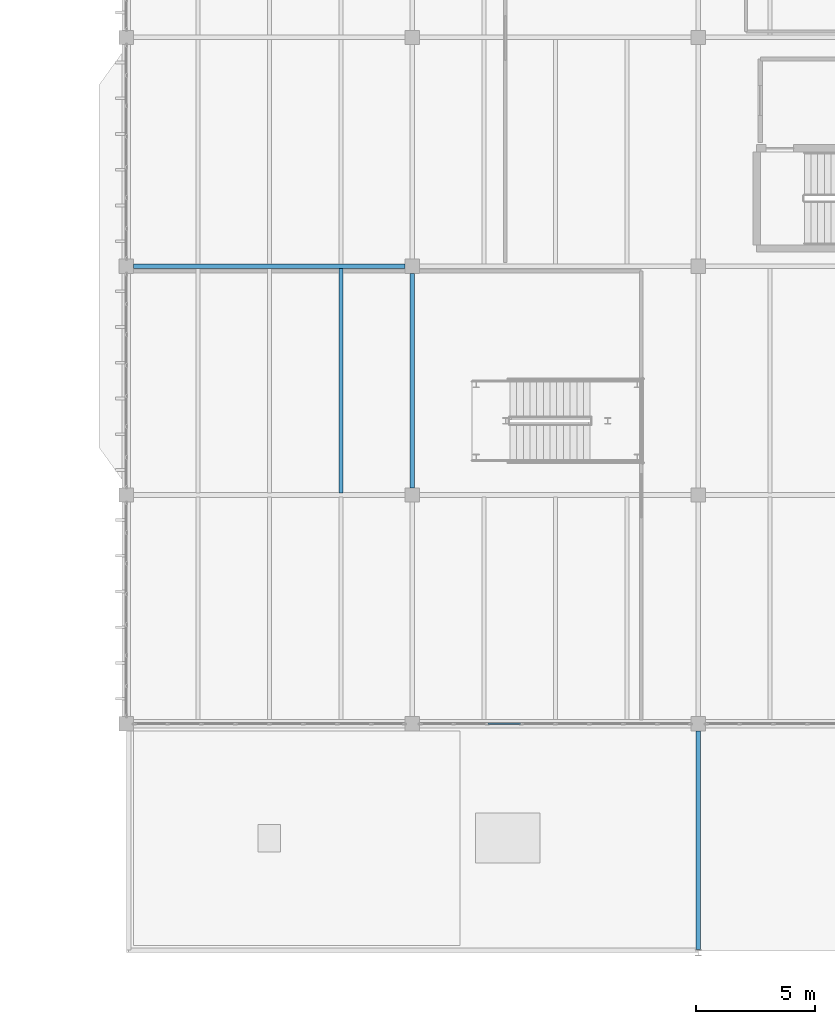
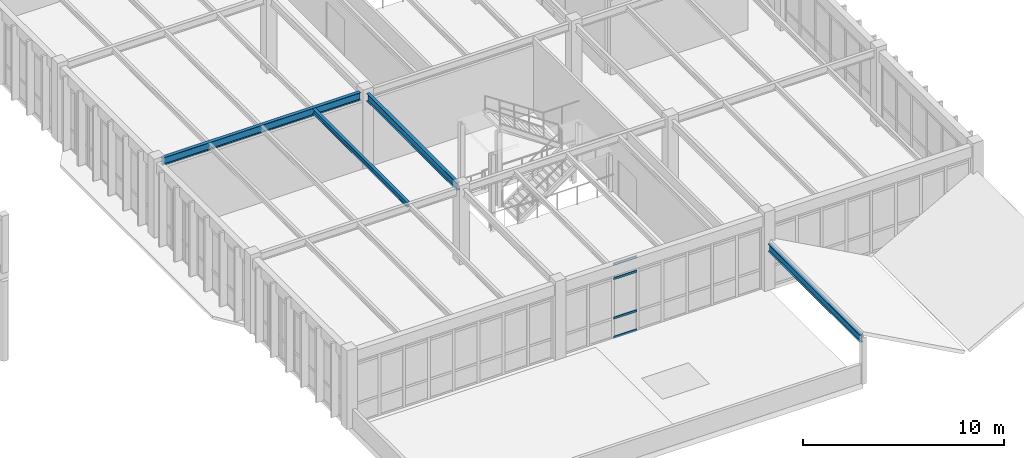
# One storey, part 119 of 236: 4 beams, 4 members, 1 element without a shape of its own.
"""IFC4 building model written with IfcOpenShell, lengths in metres."""

from ifc_helpers import new_model, si_unit, direction, frame, origin, origin_2d, place, context, subcontext, project, spatial, hollow_rectangle, i_section, extrude, material, layer, layer_set, material_profile, profile_set, type_object, element, aggregate, save


model = new_model("IFC4")

# Units and contexts
model_context = context("Model", 3, precision=1e-05, world=origin(), true_north=direction((0.0, 1.0)))
body_context = subcontext(model_context, "Body", "Model", "MODEL_VIEW")
ifc_project = project(units=[si_unit("LENGTHUNIT", "METRE"), si_unit("AREAUNIT", "SQUARE_METRE"), si_unit("VOLUMEUNIT", "CUBIC_METRE"), si_unit("PLANEANGLEUNIT", "RADIAN"), si_unit("MASSUNIT", "GRAM", prefix="KILO")], contexts=[model_context])

# Site, building, storey
site_placement = place(None, origin())
site = spatial("IfcSite", under=ifc_project, at=site_placement, CompositionType="ELEMENT")
building_placement = place(site_placement, origin())
building = spatial("IfcBuilding", under=site, at=building_placement, Name="Pandanus Reach Market Hall", CompositionType="ELEMENT")
storey_placement = place(building_placement, frame((0.0, 0.0, 5.39990234375)))
storey = spatial("IfcBuildingStorey", under=building, at=storey_placement, Name="L01", CompositionType="ELEMENT", Elevation=5.39990234375)

# Beams
ifc_material_1 = material(Name="Steel Grade 350 (350 MPa)", Category="steel")
ifc_material_profile_1 = material_profile(ifc_material_1, i_section(OverallWidth=0.18994140625, OverallDepth=0.45703125, WebThickness=0.009033203125, FlangeThickness=0.014404296875, at=origin_2d()), Name="460UB74.6", Category="LoadBearing")
ifc_profile_set_1 = profile_set([ifc_material_profile_1], Name="Steel Grade 350 (350 MPa)")
beam_type_1 = type_object("IfcBeamType", Name="BM-UB460-E", PredefinedType="BEAM", material=ifc_profile_set_1)
beam_1_placement = place(storey_placement, frame((168.0, 0.123046875, 2.610107421875), z_axis=(0.0, 1.0, 0.0), x_axis=(-1.0, 0.0, 0.0)))
element("IfcBeam", 1, at=beam_1_placement, inside=storey, type_object=beam_type_1, Name="Butterfly shell ridge tie beam L01.17", PredefinedType="BEAM", context=body_context, shape_type="SweptSolid", body=[
    extrude(i_section(OverallWidth=0.18994140625, OverallDepth=0.45703125, WebThickness=0.009033203125, FlangeThickness=0.014404296875, at=origin_2d()), origin(), (0.0, 0.0, 1.0), 9.180908203125),
])
ifc_material_profile_2 = material_profile(ifc_material_1, i_section(OverallWidth=0.18994140625, OverallDepth=0.45703125, WebThickness=0.009033203125, FlangeThickness=0.014404296875, at=origin_2d()), Name="460UB74.6", Category="LoadBearing")
ifc_profile_set_2 = profile_set([ifc_material_profile_2], Name="Steel Grade 350 (350 MPa)")
beam_type_2 = type_object("IfcBeamType", Name="BM-UB460-I", PredefinedType="BEAM", material=ifc_profile_set_2)
beam_2_placement = place(storey_placement, frame((144.298095703125, 28.800048828125, 4.311279296875), z_axis=(1.0, 0.0, 0.0), x_axis=(0.0, 1.0, 0.0)))
element("IfcBeam", 2, at=beam_2_placement, inside=storey, type_object=beam_type_2, Name="Framing beam BM-UB460-I L01.312", PredefinedType="BEAM", context=body_context, shape_type="SweptSolid", body=[
    extrude(i_section(OverallWidth=0.18994140625, OverallDepth=0.45703125, WebThickness=0.009033203125, FlangeThickness=0.014404296875, at=origin_2d()), origin(), (0.0, 0.0, 1.0), 11.40380859375),
])
beam_3_placement = place(storey_placement, frame((156.0, 19.498046875, 4.311279296875), z_axis=(0.0, 1.0, 0.0), x_axis=(-1.0, 0.0, 0.0)))
element("IfcBeam", 3, at=beam_3_placement, inside=storey, type_object=beam_type_2, Name="Framing beam BM-UB460-I L01.346", PredefinedType="BEAM", context=body_context, shape_type="SweptSolid", body=[
    extrude(i_section(OverallWidth=0.18994140625, OverallDepth=0.45703125, WebThickness=0.009033203125, FlangeThickness=0.014404296875, at=origin_2d()), origin(), (0.0, 0.0, 1.0), 9.00390625),
])

# Curtain wall, members
ifc_material_2 = material(Name="Bronze anodised aluminium and low-E glass", Category="aluminium")
ifc_layer = layer(ifc_material_2, 0.159912109375, Name="CW-27")
ifc_layer_set = layer_set([ifc_layer], Name="Bronze anodised aluminium and low-E glass")
curtain_wall_type = type_object("IfcCurtainWallType", Name="CW-27", PredefinedType="NOTDEFINED", material=ifc_layer_set)
curtain_wall_placement = place(storey_placement, origin())
curtain_wall = element("IfcCurtainWall", 4, at=curtain_wall_placement, inside=storey, type_object=curtain_wall_type, Name="Glazed curtain wall CW-27 CW-0083", PredefinedType="NOTDEFINED")
ifc_material_3 = material(Name="Bronze anodised aluminium", Category="aluminium")
ifc_material_profile_3 = material_profile(ifc_material_3, hollow_rectangle(XDim=0.06494140625, YDim=0.1298828125, WallThickness=0.00390625, at=origin_2d()), Name="ALU65x130", Category="LoadBearing")
ifc_profile_set_3 = profile_set([ifc_material_profile_3], Name="Bronze anodised aluminium")
member_type = type_object("IfcMemberType", Name="CW-T1", PredefinedType="USERDEFINED", material=ifc_profile_set_3)
member_1_placement = place(storey_placement, frame((159.1826171875, 9.60009765625, 0.03271484375), z_axis=(1.0, 0.0, 0.0), x_axis=(0.0, 1.0, 0.0)))
member_1 = element("IfcMember", 5, at=member_1_placement, type_object=member_type, Name="CW-27 transom 3.1", ObjectType="TRANSOM", PredefinedType="USERDEFINED", context=body_context, shape_type="SweptSolid", body=[
    extrude(hollow_rectangle(XDim=0.06494140625, YDim=0.1298828125, WallThickness=0.00390625, at=origin_2d()), origin(), (0.0, 0.0, 1.0), 1.35986328125),
])
member_2_placement = place(storey_placement, frame((159.1826171875, 9.60009765625, 1.2001953125), z_axis=(1.0, 0.0, 0.0), x_axis=(0.0, 1.0, 0.0)))
member_2 = element("IfcMember", 6, at=member_2_placement, type_object=member_type, Name="CW-27 transom 3.2", ObjectType="TRANSOM", PredefinedType="USERDEFINED", context=body_context, shape_type="SweptSolid", body=[
    extrude(hollow_rectangle(XDim=0.06494140625, YDim=0.1298828125, WallThickness=0.00390625, at=origin_2d()), origin(), (0.0, 0.0, 1.0), 1.35986328125),
])
member_3_placement = place(storey_placement, frame((159.1826171875, 9.60009765625, 3.60009765625), z_axis=(1.0, 0.0, 0.0), x_axis=(0.0, 1.0, 0.0)))
member_3 = element("IfcMember", 7, at=member_3_placement, type_object=member_type, Name="CW-27 transom 3.3", ObjectType="TRANSOM", PredefinedType="USERDEFINED", context=body_context, shape_type="SweptSolid", body=[
    extrude(hollow_rectangle(XDim=0.06494140625, YDim=0.1298828125, WallThickness=0.00390625, at=origin_2d()), origin(), (0.0, 0.0, 1.0), 1.35986328125),
])
member_4_placement = place(storey_placement, frame((159.1826171875, 9.60009765625, 4.467529296875), z_axis=(1.0, 0.0, 0.0), x_axis=(0.0, 1.0, 0.0)))
member_4 = element("IfcMember", 8, at=member_4_placement, type_object=member_type, Name="CW-27 transom 3.4", ObjectType="TRANSOM", PredefinedType="USERDEFINED", context=body_context, shape_type="SweptSolid", body=[
    extrude(hollow_rectangle(XDim=0.06494140625, YDim=0.1298828125, WallThickness=0.00390625, at=origin_2d()), origin(), (0.0, 0.0, 1.0), 1.35986328125),
])
aggregate(curtain_wall, [member_1, member_2, member_3, member_4])

# Beam
ifc_material_profile_4 = material_profile(ifc_material_1, i_section(OverallWidth=0.166015625, OverallDepth=0.306884765625, WebThickness=0.006591796875, FlangeThickness=0.01171875, at=origin_2d()), Name="310UB46.2", Category="LoadBearing")
ifc_profile_set_4 = profile_set([ifc_material_profile_4], Name="Steel Grade 350 (350 MPa)")
beam_type_3 = type_object("IfcBeamType", Name="JS-UB310H-I", PredefinedType="JOIST", material=ifc_profile_set_4)
beam_4_placement = place(storey_placement, frame((153.0, 19.29296875, 4.38623046875), z_axis=(0.0, 1.0, 0.0), x_axis=(-1.0, 0.0, 0.0)))
element("IfcBeam", 9, at=beam_4_placement, inside=storey, type_object=beam_type_3, Name="Secondary joist JS-UB310H-I L01.377", PredefinedType="JOIST", context=body_context, shape_type="SweptSolid", body=[
    extrude(i_section(OverallWidth=0.166015625, OverallDepth=0.306884765625, WebThickness=0.006591796875, FlangeThickness=0.01171875, at=origin_2d()), origin(), (0.0, 0.0, 1.0), 9.4140625),
])

save(model, "model.ifc")
